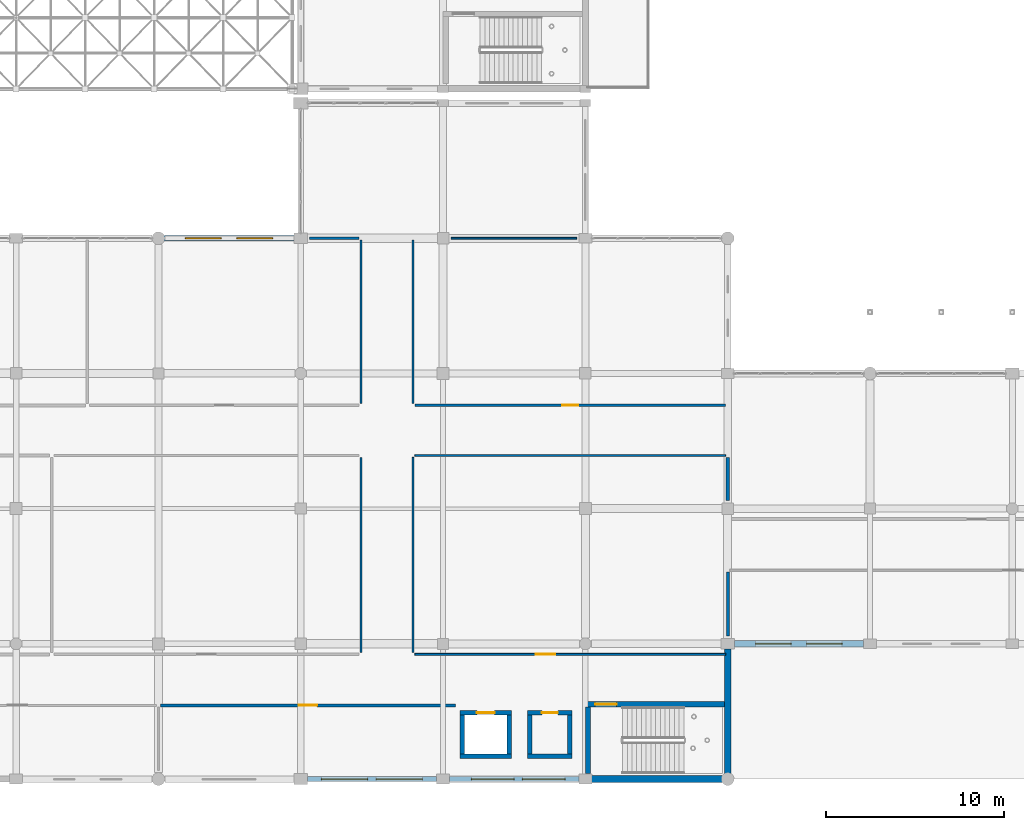
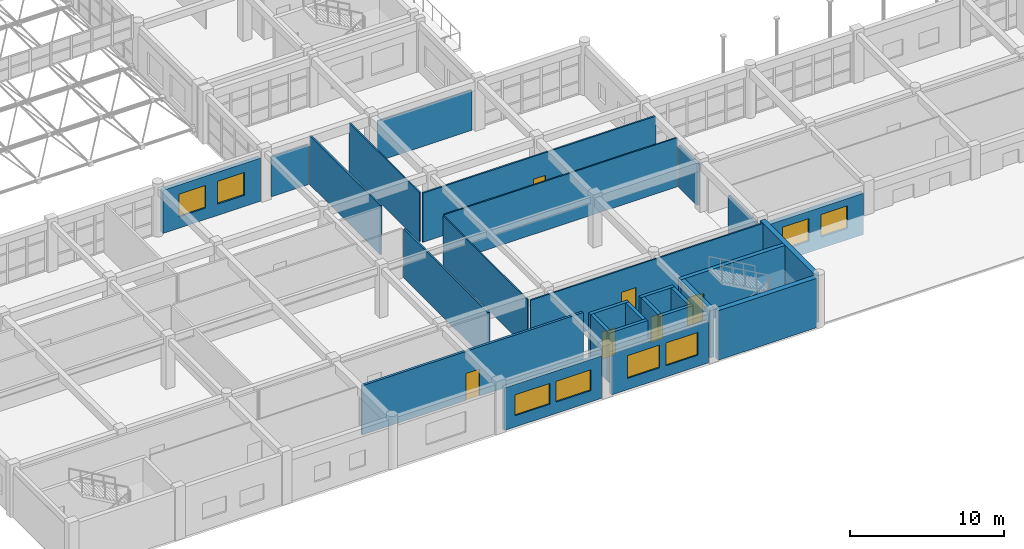
# One storey, part 165 of 195: 28 walls, 8 windows, 6 doors, 14 openings.
"""IFC4 building model written with IfcOpenShell, lengths in metres."""

from ifc_helpers import new_model, si_unit, direction, frame, frame_2d, origin, place, context, subcontext, project, spatial, rectangle, extrude, material, layer, layer_set, type_object, element, fill, save


model = new_model("IFC4")

# Units and contexts
model_context = context("Model", 3, precision=1e-05, world=origin(), true_north=direction((0.0, 1.0)))
body_context = subcontext(model_context, "Body", "Model", "MODEL_VIEW")
ifc_project = project(units=[si_unit("LENGTHUNIT", "METRE"), si_unit("AREAUNIT", "SQUARE_METRE"), si_unit("VOLUMEUNIT", "CUBIC_METRE"), si_unit("PLANEANGLEUNIT", "RADIAN"), si_unit("MASSUNIT", "GRAM", prefix="KILO")], contexts=[model_context])

# Site, building, storey
site_placement = place(None, origin())
site = spatial("IfcSite", under=ifc_project, at=site_placement, CompositionType="ELEMENT")
building_placement = place(site_placement, origin())
building = spatial("IfcBuilding", under=site, at=building_placement, Name="Kharva Crest Polytechnic", CompositionType="ELEMENT")
storey_placement = place(building_placement, frame((0.0, 0.0, 9.0)))
storey = spatial("IfcBuildingStorey", under=building, at=storey_placement, Name="L02", CompositionType="ELEMENT", Elevation=9.0)

# Wall, opening, door
ifc_material_1 = material(Name="Concrete C40/50", Category="concrete")
ifc_layer_1 = layer(ifc_material_1, 0.300048828125, Name="Concrete C40/50")
ifc_layer_set_1 = layer_set([ifc_layer_1], Name="Concrete C40/50")
wall_type_1 = type_object("IfcWallType", Name="WL-CORE-CW2-300", PredefinedType="SHEAR", material=ifc_layer_set_1)
wall_1_placement = place(storey_placement, frame((48.0, 4.2099609375, 0.0), z_axis=(0.0, 0.0, 1.0), x_axis=(1.0, 0.0, 0.0)))
wall_1 = element("IfcWall", 1, at=wall_1_placement, inside=storey, type_object=wall_type_1, Name="L02 South-West Lecture Core C1 North Shear Wall", PredefinedType="SHEAR", context=body_context, shape_type="SweptSolid", body=[
    extrude(rectangle(XDim=8.0, YDim=0.300048828125, at=frame_2d((4.0, 0.0))), origin(), (0.0, 0.0, 1.0), 3.919921875),
])
opening_1_placement = place(wall_1_placement, frame((0.550048828125, 0.0, 0.0)))
opening_1 = element("IfcOpeningElement", 2, at=opening_1_placement, cuts=wall_1, Name="Opening FD1", PredefinedType="OPENING", context=body_context, shape_type="SweptSolid", body=[
    extrude(rectangle(XDim=1.199951171875, YDim=2.199951171875, at=frame_2d((0.60009765625, 1.10009765625))), frame((0.0, 0.159912109375, 0.0), z_axis=(0.0, -1.0, 0.0), x_axis=(1.0, 0.0, 0.0)), (0.0, 0.0, 1.0), 0.320068359375),
])
ifc_material_2 = material(Name="Teak timber", Category="wood")
door_type_1 = type_object("IfcDoorType", Name="DR-STAIR-1200X2200", OperationType="NOTDEFINED", PredefinedType="DOOR", material=ifc_material_2)
door_1_placement = place(opening_1_placement, origin())
door_1 = element("IfcDoor", 3, at=door_1_placement, inside=storey, type_object=door_type_1, Name="L02 ST-01 Stair Door", OperationType="SINGLE_SWING_LEFT", OverallHeight=2.199951171875, OverallWidth=1.199951171875, PredefinedType="DOOR", context=body_context, shape_type="SweptSolid", body=[
    extrude(rectangle(XDim=1.199951171875, YDim=2.199951171875, at=frame_2d((0.60009765625, 1.10009765625))), frame((0.0, 0.02490234375, 0.0), z_axis=(0.0, -1.0, 0.0), x_axis=(1.0, 0.0, 0.0)), (0.0, 0.0, 1.0), 0.050048828125),
])
fill(opening_1, door_1)

# Wall
wall_2_placement = place(storey_placement, frame((48.14990234375, 0.300048828125, 0.0), z_axis=(0.0, 0.0, 1.0), x_axis=(0.0, 1.0, 0.0)))
element("IfcWall", 4, at=wall_2_placement, inside=storey, type_object=wall_type_1, Name="L02 South-West Lecture Core C1 West Shear Wall", PredefinedType="SHEAR", context=body_context, shape_type="SweptSolid", body=[
    extrude(rectangle(XDim=3.760009765625, YDim=0.300048828125, at=frame_2d((1.8798828125, 0.0))), origin(), (0.0, 0.0, 1.0), 3.919921875),
])

# Wall, openings, windows
ifc_material_3 = material(Name="Kiln brick masonry", Category="masonry")
ifc_layer_2 = layer(ifc_material_3, 0.260009765625, Name="Kiln brick masonry")
ifc_layer_set_2 = layer_set([ifc_layer_2], Name="Kiln brick masonry")
wall_type_2 = type_object("IfcWallType", Name="WL-EXT-BRK-260", PredefinedType="SOLIDWALL", material=ifc_layer_set_2)
wall_3_placement = place(storey_placement, frame((40.3701171875, 0.0, 0.0), z_axis=(0.0, 0.0, 1.0), x_axis=(1.0, 0.0, 0.0)))
wall_3 = element("IfcWall", 5, at=wall_3_placement, inside=storey, type_object=wall_type_2, Name="L02 Exterior Brick Wall 218", PredefinedType="SOLIDWALL", context=body_context, shape_type="SweptSolid", body=[
    extrude(rectangle(XDim=7.27490234375, YDim=0.260009765625, at=frame_2d((3.637451171875, 0.0))), origin(), (0.0, 0.0, 1.0), 3.27001953125),
])
opening_2_placement = place(wall_3_placement, frame((1.218017578125, 0.0, 0.89990234375)))
opening_2 = element("IfcOpeningElement", 6, at=opening_2_placement, cuts=wall_3, Name="Opening W02", PredefinedType="OPENING", context=body_context, shape_type="SweptSolid", body=[
    extrude(rectangle(XDim=2.39990234375, YDim=1.800048828125, at=frame_2d((1.199951171875, 0.89990234375))), frame((0.0, 0.139892578125, 0.0), z_axis=(0.0, -1.0, 0.0), x_axis=(1.0, 0.0, 0.0)), (0.0, 0.0, 1.0), 0.280029296875),
])
opening_3_placement = place(wall_3_placement, frame((4.0869140625, 0.0, 0.89990234375)))
opening_3 = element("IfcOpeningElement", 7, at=opening_3_placement, cuts=wall_3, Name="Opening W02", PredefinedType="OPENING", context=body_context, shape_type="SweptSolid", body=[
    extrude(rectangle(XDim=2.39990234375, YDim=1.800048828125, at=frame_2d((1.199951171875, 0.89990234375))), frame((0.0, 0.139892578125, 0.0), z_axis=(0.0, -1.0, 0.0), x_axis=(1.0, 0.0, 0.0)), (0.0, 0.0, 1.0), 0.280029296875),
])
ifc_material_4 = material(Name="Anodised aluminium", Category="aluminium")
window_type_1 = type_object("IfcWindowType", Name="WIN-ALU-2400X1800", PartitioningType="SINGLE_PANEL", PredefinedType="WINDOW", material=ifc_material_4)
window_1_placement = place(opening_2_placement, origin())
window_1 = element("IfcWindow", 8, at=window_1_placement, inside=storey, type_object=window_type_1, Name="L02 Exterior Window 287", OverallHeight=1.800048828125, OverallWidth=2.39990234375, PartitioningType="SINGLE_PANEL", PredefinedType="WINDOW", context=body_context, shape_type="SweptSolid", body=[
    extrude(rectangle(XDim=2.39990234375, YDim=1.800048828125, at=frame_2d((1.199951171875, 0.89990234375))), frame((0.0, 0.030029296875, 0.0), z_axis=(0.0, -1.0, 0.0), x_axis=(1.0, 0.0, 0.0)), (0.0, 0.0, 1.0), 0.06005859375),
])
fill(opening_2, window_1)
window_2_placement = place(opening_3_placement, origin())
window_2 = element("IfcWindow", 9, at=window_2_placement, inside=storey, type_object=window_type_1, Name="L02 Exterior Window 288", OverallHeight=1.800048828125, OverallWidth=2.39990234375, PartitioningType="SINGLE_PANEL", PredefinedType="WINDOW", context=body_context, shape_type="SweptSolid", body=[
    extrude(rectangle(XDim=2.39990234375, YDim=1.800048828125, at=frame_2d((1.199951171875, 0.89990234375))), frame((0.0, 0.030029296875, 0.0), z_axis=(0.0, -1.0, 0.0), x_axis=(1.0, 0.0, 0.0)), (0.0, 0.0, 1.0), 0.06005859375),
])
fill(opening_3, window_2)

ifc_layer_3 = layer(ifc_material_3, 0.27490234375, Name="Kiln brick masonry")
ifc_layer_set_3 = layer_set([ifc_layer_3], Name="Kiln brick masonry")
wall_type_3 = type_object("IfcWallType", Name="WL-EXT-BRK-275", PredefinedType="SOLIDWALL", material=ifc_layer_set_3)
wall_4_placement = place(storey_placement, frame((32.3701171875, 0.0, 0.0), z_axis=(0.0, 0.0, 1.0), x_axis=(1.0, 0.0, 0.0)))
wall_4 = element("IfcWall", 10, at=wall_4_placement, inside=storey, type_object=wall_type_3, Name="L02 Exterior Brick Wall 217", PredefinedType="SOLIDWALL", context=body_context, shape_type="SweptSolid", body=[
    extrude(rectangle(XDim=7.259765625, YDim=0.27490234375, at=frame_2d((3.6298828125, 0.0))), origin(), (0.0, 0.0, 1.0), 3.3701171875),
])
opening_4_placement = place(wall_4_placement, frame((0.79296875, 0.0, 0.89990234375)))
opening_4 = element("IfcOpeningElement", 11, at=opening_4_placement, cuts=wall_4, Name="Opening W24", PredefinedType="OPENING", context=body_context, shape_type="SweptSolid", body=[
    extrude(rectangle(XDim=2.60009765625, YDim=1.64990234375, at=frame_2d((1.300048828125, 0.824951171875))), frame((0.0, 0.1474609375, 0.0), z_axis=(0.0, -1.0, 0.0), x_axis=(1.0, 0.0, 0.0)), (0.0, 0.0, 1.0), 0.294921875),
])
opening_5_placement = place(wall_4_placement, frame((3.866943359375, 0.0, 0.89990234375)))
opening_5 = element("IfcOpeningElement", 12, at=opening_5_placement, cuts=wall_4, Name="Opening W24", PredefinedType="OPENING", context=body_context, shape_type="SweptSolid", body=[
    extrude(rectangle(XDim=2.60009765625, YDim=1.64990234375, at=frame_2d((1.300048828125, 0.824951171875))), frame((0.0, 0.1474609375, 0.0), z_axis=(0.0, -1.0, 0.0), x_axis=(1.0, 0.0, 0.0)), (0.0, 0.0, 1.0), 0.294921875),
])
window_type_2 = type_object("IfcWindowType", Name="WIN-ALU-2600X1650", PartitioningType="SINGLE_PANEL", PredefinedType="WINDOW", material=ifc_material_4)
window_3_placement = place(opening_4_placement, origin())
window_3 = element("IfcWindow", 13, at=window_3_placement, inside=storey, type_object=window_type_2, Name="L02 Exterior Window 285", OverallHeight=1.64990234375, OverallWidth=2.60009765625, PartitioningType="SINGLE_PANEL", PredefinedType="WINDOW", context=body_context, shape_type="SweptSolid", body=[
    extrude(rectangle(XDim=2.60009765625, YDim=1.64990234375, at=frame_2d((1.300048828125, 0.824951171875))), frame((0.0, 0.030029296875, 0.0), z_axis=(0.0, -1.0, 0.0), x_axis=(1.0, 0.0, 0.0)), (0.0, 0.0, 1.0), 0.06005859375),
])
fill(opening_4, window_3)
window_4_placement = place(opening_5_placement, origin())
window_4 = element("IfcWindow", 14, at=window_4_placement, inside=storey, type_object=window_type_2, Name="L02 Exterior Window 286", OverallHeight=1.64990234375, OverallWidth=2.60009765625, PartitioningType="SINGLE_PANEL", PredefinedType="WINDOW", context=body_context, shape_type="SweptSolid", body=[
    extrude(rectangle(XDim=2.60009765625, YDim=1.64990234375, at=frame_2d((1.300048828125, 0.824951171875))), frame((0.0, 0.030029296875, 0.0), z_axis=(0.0, -1.0, 0.0), x_axis=(1.0, 0.0, 0.0)), (0.0, 0.0, 1.0), 0.06005859375),
])
fill(opening_5, window_4)

ifc_layer_4 = layer(ifc_material_3, 0.2900390625, Name="Kiln brick masonry")
ifc_layer_set_4 = layer_set([ifc_layer_4], Name="Kiln brick masonry")
wall_type_4 = type_object("IfcWallType", Name="WL-EXT-BRK-290", PredefinedType="SOLIDWALL", material=ifc_layer_set_4)
wall_5_placement = place(storey_placement, frame((31.6298828125, 30.39990234375, 0.0), z_axis=(0.0, 0.0, 1.0), x_axis=(-1.0, 0.0, 0.0)))
wall_5 = element("IfcWall", 15, at=wall_5_placement, inside=storey, type_object=wall_type_4, Name="L02 Exterior Brick Wall 234", PredefinedType="SOLIDWALL", context=body_context, shape_type="SweptSolid", body=[
    extrude(rectangle(XDim=7.327392578125, YDim=0.2900390625, at=frame_2d((3.66357421875, 0.0))), origin(), (0.0, 0.0, 1.0), 3.419921875),
])
opening_6_placement = place(wall_5_placement, frame((1.216064453125, 0.0, 0.89990234375)))
opening_6 = element("IfcOpeningElement", 16, at=opening_6_placement, cuts=wall_5, Name="Opening W04", PredefinedType="OPENING", context=body_context, shape_type="SweptSolid", body=[
    extrude(rectangle(XDim=2.0, YDim=1.800048828125, at=frame_2d((1.0, 0.89990234375))), frame((0.0, 0.155029296875, 0.0), z_axis=(0.0, -1.0, 0.0), x_axis=(1.0, 0.0, 0.0)), (0.0, 0.0, 1.0), 0.31005859375),
])
opening_7_placement = place(wall_5_placement, frame((4.112060546875, 0.0, 0.89990234375)))
opening_7 = element("IfcOpeningElement", 17, at=opening_7_placement, cuts=wall_5, Name="Opening W04", PredefinedType="OPENING", context=body_context, shape_type="SweptSolid", body=[
    extrude(rectangle(XDim=2.0, YDim=1.800048828125, at=frame_2d((1.0, 0.89990234375))), frame((0.0, 0.155029296875, 0.0), z_axis=(0.0, -1.0, 0.0), x_axis=(1.0, 0.0, 0.0)), (0.0, 0.0, 1.0), 0.31005859375),
])
window_type_3 = type_object("IfcWindowType", Name="WIN-ALU-2000X1800", PartitioningType="SINGLE_PANEL", PredefinedType="WINDOW", material=ifc_material_4)
window_5_placement = place(opening_6_placement, origin())
window_5 = element("IfcWindow", 18, at=window_5_placement, inside=storey, type_object=window_type_3, Name="L02 Exterior Window 313", OverallHeight=1.800048828125, OverallWidth=2.0, PartitioningType="SINGLE_PANEL", PredefinedType="WINDOW", context=body_context, shape_type="SweptSolid", body=[
    extrude(rectangle(XDim=2.0, YDim=1.800048828125, at=frame_2d((1.0, 0.89990234375))), frame((0.0, 0.030029296875, 0.0), z_axis=(0.0, -1.0, 0.0), x_axis=(1.0, 0.0, 0.0)), (0.0, 0.0, 1.0), 0.06005859375),
])
fill(opening_6, window_5)
window_6_placement = place(opening_7_placement, origin())
window_6 = element("IfcWindow", 19, at=window_6_placement, inside=storey, type_object=window_type_3, Name="L02 Exterior Window 314", OverallHeight=1.800048828125, OverallWidth=2.0, PartitioningType="SINGLE_PANEL", PredefinedType="WINDOW", context=body_context, shape_type="SweptSolid", body=[
    extrude(rectangle(XDim=2.0, YDim=1.800048828125, at=frame_2d((1.0, 0.89990234375))), frame((0.0, 0.030029296875, 0.0), z_axis=(0.0, -1.0, 0.0), x_axis=(1.0, 0.0, 0.0)), (0.0, 0.0, 1.0), 0.06005859375),
])
fill(opening_7, window_6)

ifc_layer_5 = layer(ifc_material_3, 0.35009765625, Name="Kiln brick masonry")
ifc_layer_set_5 = layer_set([ifc_layer_5], Name="Kiln brick masonry")
wall_type_5 = type_object("IfcWallType", Name="WL-EXT-BRK-350", PredefinedType="SOLIDWALL", material=ifc_layer_set_5)
wall_6_placement = place(storey_placement, frame((56.3701171875, 7.60009765625, 0.0), z_axis=(0.0, 0.0, 1.0), x_axis=(1.0, 0.0, 0.0)))
wall_6 = element("IfcWall", 20, at=wall_6_placement, inside=storey, type_object=wall_type_5, Name="L02 Exterior Brick Wall 221", PredefinedType="SOLIDWALL", context=body_context, shape_type="SweptSolid", body=[
    extrude(rectangle(XDim=7.259765625, YDim=0.35009765625, at=frame_2d((3.6298828125, 0.0))), origin(), (0.0, 0.0, 1.0), 3.27001953125),
])
opening_8_placement = place(wall_6_placement, frame((1.193115234375, 0.0, 0.89990234375)))
opening_8 = element("IfcOpeningElement", 21, at=opening_8_placement, cuts=wall_6, Name="Opening W04", PredefinedType="OPENING", context=body_context, shape_type="SweptSolid", body=[
    extrude(rectangle(XDim=2.0, YDim=1.800048828125, at=frame_2d((1.0, 0.89990234375))), frame((0.0, 0.18505859375, 0.0), z_axis=(0.0, -1.0, 0.0), x_axis=(1.0, 0.0, 0.0)), (0.0, 0.0, 1.0), 0.3701171875),
])
opening_9_placement = place(wall_6_placement, frame((4.06689453125, 0.0, 0.89990234375)))
opening_9 = element("IfcOpeningElement", 22, at=opening_9_placement, cuts=wall_6, Name="Opening W04", PredefinedType="OPENING", context=body_context, shape_type="SweptSolid", body=[
    extrude(rectangle(XDim=2.0, YDim=1.800048828125, at=frame_2d((1.0, 0.89990234375))), frame((0.0, 0.18505859375, 0.0), z_axis=(0.0, -1.0, 0.0), x_axis=(1.0, 0.0, 0.0)), (0.0, 0.0, 1.0), 0.3701171875),
])
window_7_placement = place(opening_8_placement, origin())
window_7 = element("IfcWindow", 23, at=window_7_placement, inside=storey, type_object=window_type_3, Name="L02 Exterior Window 289", OverallHeight=1.800048828125, OverallWidth=2.0, PartitioningType="SINGLE_PANEL", PredefinedType="WINDOW", context=body_context, shape_type="SweptSolid", body=[
    extrude(rectangle(XDim=2.0, YDim=1.800048828125, at=frame_2d((1.0, 0.89990234375))), frame((0.0, 0.030029296875, 0.0), z_axis=(0.0, -1.0, 0.0), x_axis=(1.0, 0.0, 0.0)), (0.0, 0.0, 1.0), 0.06005859375),
])
fill(opening_8, window_7)
window_8_placement = place(opening_9_placement, origin())
window_8 = element("IfcWindow", 24, at=window_8_placement, inside=storey, type_object=window_type_3, Name="L02 Exterior Window 290", OverallHeight=1.800048828125, OverallWidth=2.0, PartitioningType="SINGLE_PANEL", PredefinedType="WINDOW", context=body_context, shape_type="SweptSolid", body=[
    extrude(rectangle(XDim=2.0, YDim=1.800048828125, at=frame_2d((1.0, 0.89990234375))), frame((0.0, 0.030029296875, 0.0), z_axis=(0.0, -1.0, 0.0), x_axis=(1.0, 0.0, 0.0)), (0.0, 0.0, 1.0), 0.06005859375),
])
fill(opening_9, window_8)

# Walls
ifc_layer_6 = layer(ifc_material_3, 0.364990234375, Name="Kiln brick masonry")
ifc_layer_set_6 = layer_set([ifc_layer_6], Name="Kiln brick masonry")
wall_type_6 = type_object("IfcWallType", Name="WL-EXT-BRK-365", PredefinedType="SOLIDWALL", material=ifc_layer_set_6)
wall_7_placement = place(storey_placement, frame((56.0, 0.302490234375, 0.0), z_axis=(0.0, 0.0, 1.0), x_axis=(0.0, 1.0, 0.0)))
element("IfcWall", 25, at=wall_7_placement, inside=storey, type_object=wall_type_6, Name="L02 Exterior Brick Wall 220", PredefinedType="SOLIDWALL", context=body_context, shape_type="SweptSolid", body=[
    extrude(rectangle(XDim=7.00244140625, YDim=0.364990234375, at=frame_2d((3.501220703125, 0.0))), origin(), (0.0, 0.0, 1.0), 3.919921875),
])
ifc_layer_7 = layer(ifc_material_3, 0.3798828125, Name="Kiln brick masonry")
ifc_layer_set_7 = layer_set([ifc_layer_7], Name="Kiln brick masonry")
wall_type_7 = type_object("IfcWallType", Name="WL-EXT-BRK-380", PredefinedType="SOLIDWALL", material=ifc_layer_set_7)
wall_8_placement = place(storey_placement, frame((48.35498046875, 0.0, 0.0), z_axis=(0.0, 0.0, 1.0), x_axis=(1.0, 0.0, 0.0)))
element("IfcWall", 26, at=wall_8_placement, inside=storey, type_object=wall_type_7, Name="L02 Exterior Brick Wall 219", PredefinedType="SOLIDWALL", context=body_context, shape_type="SweptSolid", body=[
    extrude(rectangle(XDim=7.342529296875, YDim=0.3798828125, at=frame_2d((3.67138671875, 0.0))), origin(), (0.0, 0.0, 1.0), 3.919921875),
])
ifc_layer_8 = layer(ifc_material_3, 0.090087890625, Name="Kiln brick masonry")
ifc_layer_set_8 = layer_set([ifc_layer_8], Name="Kiln brick masonry")
wall_type_8 = type_object("IfcWallType", Name="WL-PART-090", PredefinedType="PARTITIONING", material=ifc_layer_set_8)
wall_9_placement = place(storey_placement, frame((38.31005859375, 7.1201171875, 0.0), z_axis=(0.0, 0.0, 1.0), x_axis=(0.0, 1.0, 0.0)))
element("IfcWall", 27, at=wall_9_placement, inside=storey, type_object=wall_type_8, Name="L02 Interior Partition 219", PredefinedType="PARTITIONING", context=body_context, shape_type="SweptSolid", body=[
    extrude(rectangle(XDim=10.9599609375, YDim=0.090087890625, at=frame_2d((5.47998046875, 0.0))), origin(), (0.0, 0.0, 1.0), 3.89990234375),
])
ifc_layer_9 = layer(ifc_material_3, 0.10009765625, Name="Kiln brick masonry")
ifc_layer_set_9 = layer_set([ifc_layer_9], Name="Kiln brick masonry")
wall_type_9 = type_object("IfcWallType", Name="WL-PART-100", PredefinedType="PARTITIONING", material=ifc_layer_set_9)
wall_10_placement = place(storey_placement, frame((38.419921875, 18.18994140625, 0.0), z_axis=(0.0, 0.0, 1.0), x_axis=(1.0, 0.0, 0.0)))
element("IfcWall", 28, at=wall_10_placement, inside=storey, type_object=wall_type_9, Name="L02 Interior Partition 218", PredefinedType="PARTITIONING", context=body_context, shape_type="SweptSolid", body=[
    extrude(rectangle(XDim=17.469970703125, YDim=0.10009765625, at=frame_2d((8.73486328125, 0.0))), origin(), (0.0, 0.0, 1.0), 3.89990234375),
])
wall_11_placement = place(storey_placement, frame((38.31005859375, 21.1201171875, 0.0), z_axis=(0.0, 0.0, 1.0), x_axis=(0.0, 1.0, 0.0)))
element("IfcWall", 29, at=wall_11_placement, inside=storey, type_object=wall_type_9, Name="L02 Interior Partition 228", PredefinedType="PARTITIONING", context=body_context, shape_type="SweptSolid", body=[
    extrude(rectangle(XDim=9.169921875, YDim=0.10009765625, at=frame_2d((4.5849609375, 0.0))), origin(), (0.0, 0.0, 1.0), 3.89990234375),
])

# Wall, opening, door
ifc_layer_10 = layer(ifc_material_3, 0.110107421875, Name="Kiln brick masonry")
ifc_layer_set_10 = layer_set([ifc_layer_10], Name="Kiln brick masonry")
wall_type_10 = type_object("IfcWallType", Name="WL-PART-110", PredefinedType="PARTITIONING", material=ifc_layer_set_10)
wall_12_placement = place(storey_placement, frame((38.419921875, 7.010009765625, 0.0), z_axis=(0.0, 0.0, 1.0), x_axis=(1.0, 0.0, 0.0)))
wall_12 = element("IfcWall", 30, at=wall_12_placement, inside=storey, type_object=wall_type_10, Name="L02 Interior Partition 217", PredefinedType="PARTITIONING", context=body_context, shape_type="SweptSolid", body=[
    extrude(rectangle(XDim=17.469970703125, YDim=0.110107421875, at=frame_2d((8.73486328125, 0.0))), origin(), (0.0, 0.0, 1.0), 3.89990234375),
])
opening_10_placement = place(wall_12_placement, frame((6.797119140625, 0.0, 0.0)))
opening_10 = element("IfcOpeningElement", 31, at=opening_10_placement, cuts=wall_12, Name="Opening ID10", PredefinedType="OPENING", context=body_context, shape_type="SweptSolid", body=[
    extrude(rectangle(XDim=1.080078125, YDim=2.14990234375, at=frame_2d((0.5400390625, 1.074951171875))), frame((0.0, 0.06494140625, 0.0), z_axis=(0.0, -1.0, 0.0), x_axis=(1.0, 0.0, 0.0)), (0.0, 0.0, 1.0), 0.130126953125),
])
door_type_2 = type_object("IfcDoorType", Name="DR-CLS-1080X2150", OperationType="NOTDEFINED", PredefinedType="DOOR", material=ifc_material_2)
door_2_placement = place(opening_10_placement, origin())
door_2 = element("IfcDoor", 32, at=door_2_placement, inside=storey, type_object=door_type_2, Name="L02 Seminar Room L02-5 Door", OperationType="SINGLE_SWING_LEFT", OverallHeight=2.14990234375, OverallWidth=1.080078125, PredefinedType="DOOR", context=body_context, shape_type="SweptSolid", body=[
    extrude(rectangle(XDim=1.080078125, YDim=2.14990234375, at=frame_2d((0.5400390625, 1.074951171875))), frame((0.0, 0.02490234375, 0.0), z_axis=(0.0, -1.0, 0.0), x_axis=(1.0, 0.0, 0.0)), (0.0, 0.0, 1.0), 0.050048828125),
])
fill(opening_10, door_2)

# Walls
wall_13_placement = place(storey_placement, frame((40.455078125, 30.39990234375, 0.0), z_axis=(0.0, 0.0, 1.0), x_axis=(1.0, 0.0, 0.0)))
element("IfcWall", 33, at=wall_13_placement, inside=storey, type_object=wall_type_10, Name="L02 Interior Partition 227", PredefinedType="PARTITIONING", context=body_context, shape_type="SweptSolid", body=[
    extrude(rectangle(XDim=7.054931640625, YDim=0.110107421875, at=frame_2d((3.52734375, 0.0))), origin(), (0.0, 0.0, 1.0), 3.199951171875),
])
ifc_layer_11 = layer(ifc_material_3, 0.1201171875, Name="Kiln brick masonry")
ifc_layer_set_11 = layer_set([ifc_layer_11], Name="Kiln brick masonry")
wall_type_11 = type_object("IfcWallType", Name="WL-PART-120", PredefinedType="PARTITIONING", material=ifc_layer_set_11)
wall_14_placement = place(storey_placement, frame((35.389892578125, 7.1201171875, 0.0), z_axis=(0.0, 0.0, 1.0), x_axis=(0.0, 1.0, 0.0)))
element("IfcWall", 34, at=wall_14_placement, inside=storey, type_object=wall_type_11, Name="L02 Interior Partition 216", PredefinedType="PARTITIONING", context=body_context, shape_type="SweptSolid", body=[
    extrude(rectangle(XDim=10.9599609375, YDim=0.1201171875, at=frame_2d((5.47998046875, 0.0))), origin(), (0.0, 0.0, 1.0), 3.89990234375),
])

# Wall, opening, door
wall_15_placement = place(storey_placement, frame((38.419921875, 21.010009765625, 0.0), z_axis=(0.0, 0.0, 1.0), x_axis=(1.0, 0.0, 0.0)))
wall_15 = element("IfcWall", 35, at=wall_15_placement, inside=storey, type_object=wall_type_11, Name="L02 Interior Partition 226", PredefinedType="PARTITIONING", context=body_context, shape_type="SweptSolid", body=[
    extrude(rectangle(XDim=17.469970703125, YDim=0.1201171875, at=frame_2d((8.73486328125, 0.0))), origin(), (0.0, 0.0, 1.0), 3.89990234375),
])
opening_11_placement = place(wall_15_placement, frame((8.280029296875, 0.0, 0.0)))
opening_11 = element("IfcOpeningElement", 36, at=opening_11_placement, cuts=wall_15, Name="Opening ID15", PredefinedType="OPENING", context=body_context, shape_type="SweptSolid", body=[
    extrude(rectangle(XDim=0.909912109375, YDim=2.10009765625, at=frame_2d((0.455078125, 1.050048828125))), frame((0.0, 0.070068359375, 0.0), z_axis=(0.0, -1.0, 0.0), x_axis=(1.0, 0.0, 0.0)), (0.0, 0.0, 1.0), 0.14013671875),
])
door_type_3 = type_object("IfcDoorType", Name="DR-WC-910X2100", OperationType="NOTDEFINED", PredefinedType="DOOR", material=ifc_material_2)
door_3_placement = place(opening_11_placement, origin())
door_3 = element("IfcDoor", 37, at=door_3_placement, inside=storey, type_object=door_type_3, Name="L02 South West Washrooms L02 Door", OperationType="SINGLE_SWING_RIGHT", OverallHeight=2.10009765625, OverallWidth=0.909912109375, PredefinedType="DOOR", context=body_context, shape_type="SweptSolid", body=[
    extrude(rectangle(XDim=0.909912109375, YDim=2.10009765625, at=frame_2d((0.455078125, 1.050048828125))), frame((0.0, 0.02490234375, 0.0), z_axis=(0.0, -1.0, 0.0), x_axis=(1.0, 0.0, 0.0)), (0.0, 0.0, 1.0), 0.050048828125),
])
fill(opening_11, door_3)

# Walls
ifc_layer_12 = layer(ifc_material_3, 0.1298828125, Name="Kiln brick masonry")
ifc_layer_set_12 = layer_set([ifc_layer_12], Name="Kiln brick masonry")
wall_type_12 = type_object("IfcWallType", Name="WL-PART-130", PredefinedType="PARTITIONING", material=ifc_layer_set_12)
wall_16_placement = place(storey_placement, frame((35.389892578125, 21.1201171875, 0.0), z_axis=(0.0, 0.0, 1.0), x_axis=(0.0, 1.0, 0.0)))
element("IfcWall", 38, at=wall_16_placement, inside=storey, type_object=wall_type_12, Name="L02 Interior Partition 225", PredefinedType="PARTITIONING", context=body_context, shape_type="SweptSolid", body=[
    extrude(rectangle(XDim=9.169921875, YDim=0.1298828125, at=frame_2d((4.5849609375, 0.0))), origin(), (0.0, 0.0, 1.0), 3.89990234375),
])
ifc_layer_13 = layer(ifc_material_3, 0.139892578125, Name="Kiln brick masonry")
ifc_layer_set_13 = layer_set([ifc_layer_13], Name="Kiln brick masonry")
wall_type_13 = type_object("IfcWallType", Name="WL-PART-140", PredefinedType="PARTITIONING", material=ifc_layer_set_13)
wall_17_placement = place(storey_placement, frame((32.5048828125, 30.39990234375, 0.0), z_axis=(0.0, 0.0, 1.0), x_axis=(1.0, 0.0, 0.0)))
element("IfcWall", 39, at=wall_17_placement, inside=storey, type_object=wall_type_13, Name="L02 Interior Partition 224", PredefinedType="PARTITIONING", context=body_context, shape_type="SweptSolid", body=[
    extrude(rectangle(XDim=2.775146484375, YDim=0.139892578125, at=frame_2d((1.3876953125, 0.0))), origin(), (0.0, 0.0, 1.0), 3.169921875),
])

# Wall, opening, door
ifc_layer_14 = layer(ifc_material_3, 0.179931640625, Name="Kiln brick masonry")
ifc_layer_set_14 = layer_set([ifc_layer_14], Name="Kiln brick masonry")
wall_type_14 = type_object("IfcWallType", Name="WL-PART-180", PredefinedType="PARTITIONING", material=ifc_layer_set_14)
wall_18_placement = place(storey_placement, frame((24.1201171875, 4.139892578125, 0.0), z_axis=(0.0, 0.0, 1.0), x_axis=(1.0, 0.0, 0.0)))
wall_18 = element("IfcWall", 40, at=wall_18_placement, inside=storey, type_object=wall_type_14, Name="L02 Interior Partition 210", PredefinedType="PARTITIONING", context=body_context, shape_type="SweptSolid", body=[
    extrude(rectangle(XDim=16.56982421875, YDim=0.179931640625, at=frame_2d((8.284912109375, 0.0))), origin(), (0.0, 0.0, 1.0), 3.89990234375),
])
opening_12_placement = place(wall_18_placement, frame((7.764892578125, 0.0, 0.0)))
opening_12 = element("IfcOpeningElement", 41, at=opening_12_placement, cuts=wall_18, Name="Opening ID11", PredefinedType="OPENING", context=body_context, shape_type="SweptSolid", body=[
    extrude(rectangle(XDim=1.0400390625, YDim=2.14990234375, at=frame_2d((0.52001953125, 1.074951171875))), frame((0.0, 0.099853515625, 0.0), z_axis=(0.0, -1.0, 0.0), x_axis=(1.0, 0.0, 0.0)), (0.0, 0.0, 1.0), 0.199951171875),
])
door_type_4 = type_object("IfcDoorType", Name="DR-CLS-1040X2150", OperationType="NOTDEFINED", PredefinedType="DOOR", material=ifc_material_2)
door_4_placement = place(opening_12_placement, origin())
door_4 = element("IfcDoor", 42, at=door_4_placement, inside=storey, type_object=door_type_4, Name="L02 Classroom L02-2 Door", OperationType="SINGLE_SWING_RIGHT", OverallHeight=2.14990234375, OverallWidth=1.0400390625, PredefinedType="DOOR", context=body_context, shape_type="SweptSolid", body=[
    extrude(rectangle(XDim=1.0400390625, YDim=2.14990234375, at=frame_2d((0.52001953125, 1.074951171875))), frame((0.0, 0.02490234375, 0.0), z_axis=(0.0, -1.0, 0.0), x_axis=(1.0, 0.0, 0.0)), (0.0, 0.0, 1.0), 0.050048828125),
])
fill(opening_12, door_4)

# Walls
wall_19_placement = place(storey_placement, frame((56.0, 15.655029296875, 0.0), z_axis=(0.0, 0.0, 1.0), x_axis=(0.0, 1.0, 0.0)))
element("IfcWall", 43, at=wall_19_placement, inside=storey, type_object=wall_type_14, Name="L02 Interior Partition 220", PredefinedType="PARTITIONING", context=body_context, shape_type="SweptSolid", body=[
    extrude(rectangle(XDim=2.425048828125, YDim=0.179931640625, at=frame_2d((1.21240234375, 0.0))), origin(), (0.0, 0.0, 1.0), 3.300048828125),
])
wall_20_placement = place(storey_placement, frame((56.010009765625, 8.030029296875, 0.0), z_axis=(0.0, 0.0, 1.0), x_axis=(0.0, 1.0, 0.0)))
element("IfcWall", 44, at=wall_20_placement, inside=storey, type_object=wall_type_14, Name="L02 Interior Partition 230", PredefinedType="PARTITIONING", context=body_context, shape_type="SweptSolid", body=[
    extrude(rectangle(XDim=3.599853515625, YDim=0.179931640625, at=frame_2d((1.7998046875, 0.0))), origin(), (0.0, 0.0, 1.0), 3.239990234375),
])
ifc_layer_15 = layer(ifc_material_1, 0.25, Name="Concrete C40/50")
ifc_layer_set_15 = layer_set([ifc_layer_15], Name="Concrete C40/50")
wall_type_15 = type_object("IfcWallType", Name="WL-SHEAR-SW1-250", PredefinedType="SHEAR", material=ifc_layer_set_15)
wall_21_placement = place(storey_placement, frame((40.949951171875, 1.27490234375, 0.0), z_axis=(0.0, 0.0, 1.0), x_axis=(1.0, 0.0, 0.0)))
element("IfcWall", 45, at=wall_21_placement, inside=storey, type_object=wall_type_15, Name="L02 Lift PL1 South Shaft Wall", PredefinedType="SHEAR", context=body_context, shape_type="SweptSolid", body=[
    extrude(rectangle(XDim=2.900146484375, YDim=0.25, at=frame_2d((1.4501953125, 0.0))), origin(), (0.0, 0.0, 1.0), 3.919921875),
])

# Wall, opening, door
wall_22_placement = place(storey_placement, frame((40.949951171875, 3.72509765625, 0.0), z_axis=(0.0, 0.0, 1.0), x_axis=(1.0, 0.0, 0.0)))
wall_22 = element("IfcWall", 46, at=wall_22_placement, inside=storey, type_object=wall_type_15, Name="L02 Lift PL1 North Shaft Wall", PredefinedType="SHEAR", context=body_context, shape_type="SweptSolid", body=[
    extrude(rectangle(XDim=2.900146484375, YDim=0.25, at=frame_2d((1.4501953125, 0.0))), origin(), (0.0, 0.0, 1.0), 3.919921875),
])
opening_13_placement = place(wall_22_placement, frame((0.949951171875, 0.0, 0.0)))
opening_13 = element("IfcOpeningElement", 47, at=opening_13_placement, cuts=wall_22, Name="Opening LD2", PredefinedType="OPENING", context=body_context, shape_type="SweptSolid", body=[
    extrude(rectangle(XDim=1.0, YDim=2.14990234375, at=frame_2d((0.5, 1.074951171875))), frame((0.0, 0.135009765625, 0.0), z_axis=(0.0, -1.0, 0.0), x_axis=(1.0, 0.0, 0.0)), (0.0, 0.0, 1.0), 0.27001953125),
])
door_type_5 = type_object("IfcDoorType", Name="DR-LIFT-LD2-1000X2150", OperationType="SLIDING_TO_LEFT", PredefinedType="DOOR", material=ifc_material_4)
door_5_placement = place(opening_13_placement, origin())
door_5 = element("IfcDoor", 48, at=door_5_placement, inside=storey, type_object=door_type_5, Name="L02 Lift PL1 Sliding Landing Door", OperationType="SLIDING_TO_LEFT", OverallHeight=2.14990234375, OverallWidth=1.0, PredefinedType="DOOR", context=body_context, shape_type="SweptSolid", body=[
    extrude(rectangle(XDim=1.0, YDim=2.14990234375, at=frame_2d((0.5, 1.074951171875))), frame((0.0, 0.02490234375, 0.0), z_axis=(0.0, -1.0, 0.0), x_axis=(1.0, 0.0, 0.0)), (0.0, 0.0, 1.0), 0.050048828125),
])
fill(opening_13, door_5)

# Walls
for number, where, z_axis, x_axis, name in (
    (49, (41.074951171875, 1.39990234375, 0.0), (0.0, 0.0, 1.0), (0.0, 1.0, 0.0), "L02 Lift PL1 West Shaft Wall"),
    (50, (43.72509765625, 1.39990234375, 0.0), (0.0, 0.0, 1.0), (0.0, 1.0, 0.0), "L02 Lift PL1 East Shaft Wall"),
):
    element("IfcWall", number, at=place(storey_placement, frame(where, z_axis=z_axis, x_axis=x_axis)), inside=storey, type_object=wall_type_15, Name=name, PredefinedType="SHEAR", context=body_context, shape_type="SweptSolid", body=[
        extrude(rectangle(XDim=2.2001953125, YDim=0.25, at=frame_2d((1.10009765625, 0.0))), origin(), (0.0, 0.0, 1.0), 3.919921875),
    ])
wall_23_placement = place(storey_placement, frame((44.75, 1.27490234375, 0.0), z_axis=(0.0, 0.0, 1.0), x_axis=(1.0, 0.0, 0.0)))
element("IfcWall", 51, at=wall_23_placement, inside=storey, type_object=wall_type_15, Name="L02 Core C1 Riser South Wall", PredefinedType="SHEAR", context=body_context, shape_type="SweptSolid", body=[
    extrude(rectangle(XDim=2.5, YDim=0.25, at=frame_2d((1.25, 0.0))), origin(), (0.0, 0.0, 1.0), 3.919921875),
])

# Wall, opening, door
wall_24_placement = place(storey_placement, frame((44.75, 3.72509765625, 0.0), z_axis=(0.0, 0.0, 1.0), x_axis=(1.0, 0.0, 0.0)))
wall_24 = element("IfcWall", 52, at=wall_24_placement, inside=storey, type_object=wall_type_15, Name="L02 Core C1 Riser North Wall", PredefinedType="SHEAR", context=body_context, shape_type="SweptSolid", body=[
    extrude(rectangle(XDim=2.5, YDim=0.25, at=frame_2d((1.25, 0.0))), origin(), (0.0, 0.0, 1.0), 3.919921875),
])
opening_14_placement = place(wall_24_placement, frame((0.800048828125, 0.0, 0.0)))
opening_14 = element("IfcOpeningElement", 53, at=opening_14_placement, cuts=wall_24, Name="Opening FD3", PredefinedType="OPENING", context=body_context, shape_type="SweptSolid", body=[
    extrude(rectangle(XDim=0.89990234375, YDim=2.050048828125, at=frame_2d((0.449951171875, 1.02490234375))), frame((0.0, 0.135009765625, 0.0), z_axis=(0.0, -1.0, 0.0), x_axis=(1.0, 0.0, 0.0)), (0.0, 0.0, 1.0), 0.27001953125),
])
door_type_6 = type_object("IfcDoorType", Name="DR-RISER-900X2050", OperationType="NOTDEFINED", PredefinedType="DOOR", material=ifc_material_4)
door_6_placement = place(opening_14_placement, origin())
door_6 = element("IfcDoor", 54, at=door_6_placement, inside=storey, type_object=door_type_6, Name="L02 Core C1 Riser Access Door", OperationType="SINGLE_SWING_RIGHT", OverallHeight=2.050048828125, OverallWidth=0.89990234375, PredefinedType="DOOR", context=body_context, shape_type="SweptSolid", body=[
    extrude(rectangle(XDim=0.89990234375, YDim=2.050048828125, at=frame_2d((0.449951171875, 1.02490234375))), frame((0.0, 0.02490234375, 0.0), z_axis=(0.0, -1.0, 0.0), x_axis=(1.0, 0.0, 0.0)), (0.0, 0.0, 1.0), 0.050048828125),
])
fill(opening_14, door_6)

# Walls
for number, where, z_axis, x_axis, name in (
    (55, (44.875, 1.39990234375, 0.0), (0.0, 0.0, 1.0), (0.0, 1.0, 0.0), "L02 Core C1 Riser West Wall"),
    (56, (47.125, 1.39990234375, 0.0), (0.0, 0.0, 1.0), (0.0, 1.0, 0.0), "L02 Core C1 Riser East Wall"),
):
    element("IfcWall", number, at=place(storey_placement, frame(where, z_axis=z_axis, x_axis=x_axis)), inside=storey, type_object=wall_type_15, Name=name, PredefinedType="SHEAR", context=body_context, shape_type="SweptSolid", body=[
        extrude(rectangle(XDim=2.2001953125, YDim=0.25, at=frame_2d((1.10009765625, 0.0))), origin(), (0.0, 0.0, 1.0), 3.919921875),
    ])

save(model, "model.ifc")
